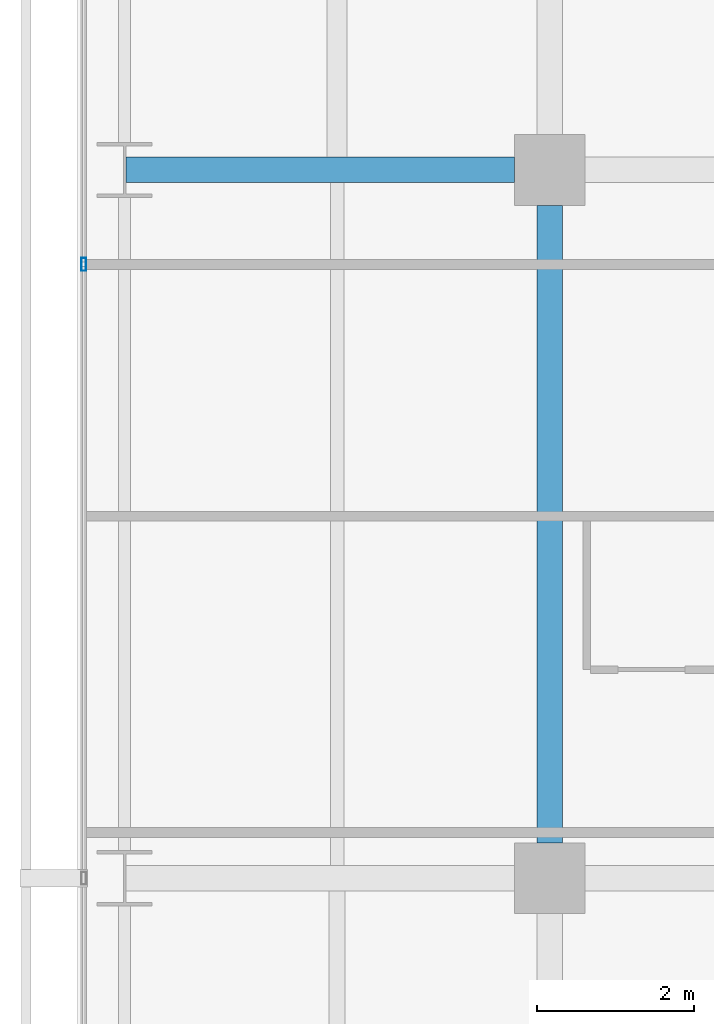
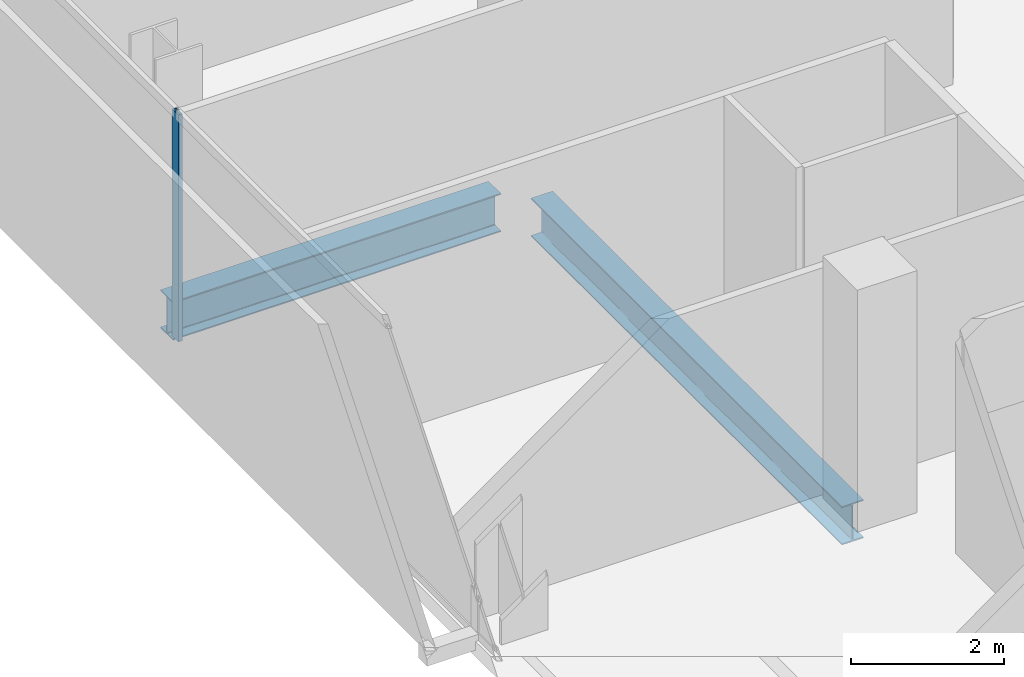
# One storey, part 21 of 40: 2 beams, 1 member, 1 element without a shape of its own.
"""IFC4 building model written with IfcOpenShell, lengths in metres."""

from ifc_helpers import new_model, si_unit, direction, frame, origin, origin_2d, place, context, subcontext, project, spatial, hollow_rectangle, i_section, extrude, material, layer, layer_set, material_profile, profile_set, type_object, element, aggregate, save


model = new_model("IFC4")

# Units and contexts
model_context = context("Model", 3, precision=1e-05, world=origin(), true_north=direction((0.0, 1.0)))
body_context = subcontext(model_context, "Body", "Model", "MODEL_VIEW")
ifc_project = project(units=[si_unit("LENGTHUNIT", "METRE"), si_unit("AREAUNIT", "SQUARE_METRE"), si_unit("VOLUMEUNIT", "CUBIC_METRE"), si_unit("PLANEANGLEUNIT", "RADIAN"), si_unit("MASSUNIT", "GRAM", prefix="KILO")], contexts=[model_context])

# Site, building, storey
site_placement = place(None, origin())
site = spatial("IfcSite", under=ifc_project, at=site_placement, CompositionType="ELEMENT")
building_placement = place(site_placement, origin())
building = spatial("IfcBuilding", under=site, at=building_placement, Name="Maruvema Waterfront Hotel and Observation Tower", CompositionType="ELEMENT")
storey_placement = place(building_placement, frame((0.0, 0.0, 80.85009765625)))
storey = spatial("IfcBuildingStorey", under=building, at=storey_placement, Name="L19", CompositionType="ELEMENT", Elevation=80.85009765625)

# Curtain wall, member
ifc_material_1 = material(Name="Anodised bronze aluminium and solar-control low-E IGU", Category="aluminium")
ifc_layer = layer(ifc_material_1, 0.159912109375, Name="Zone 1 Bronze Inner Thermal Curtain Wall System CW-02")
ifc_layer_set = layer_set([ifc_layer], Name="Anodised bronze aluminium and solar-control low-E IGU")
curtain_wall_type = type_object("IfcCurtainWallType", Name="Zone 1 Bronze Inner Thermal Curtain Wall System CW-02", PredefinedType="USERDEFINED", material=ifc_layer_set)
curtain_wall_placement = place(storey_placement, origin())
curtain_wall = element("IfcCurtainWall", 1, at=curtain_wall_placement, inside=storey, type_object=curtain_wall_type, Name="L19 Curtain Wall CW-L19-W", ObjectType="UNITISED CURTAIN WALL", PredefinedType="USERDEFINED")
ifc_material_2 = material(Name="Anodised architectural bronze aluminium", Category="aluminium")
ifc_material_profile_1 = material_profile(ifc_material_2, hollow_rectangle(XDim=0.06494140625, YDim=0.1650390625, WallThickness=0.00390625, at=origin_2d()), Name="ALU-M65x165")
ifc_profile_set_1 = profile_set([ifc_material_profile_1], Name="Anodised architectural bronze aluminium")
member_type = type_object("IfcMemberType", Name="Curtain Wall Primary Mullion ALU-M65x165", PredefinedType="MULLION", material=ifc_profile_set_1)
member_placement = place(storey_placement, frame((10.8798828125, 34.800048828125, 0.0), z_axis=(0.0, 0.0, 1.0), x_axis=(1.0, 0.0, 0.0)))
member = element("IfcMember", 2, at=member_placement, type_object=member_type, Name="CW-02 mullion 3", PredefinedType="MULLION", context=body_context, shape_type="SweptSolid", body=[
    extrude(hollow_rectangle(XDim=0.06494140625, YDim=0.1650390625, WallThickness=0.00390625, at=origin_2d()), origin(), (0.0, 0.0, 1.0), 3.60986328125),
])
aggregate(curtain_wall, [member])

# Beams
ifc_material_3 = material(Name="Steel ASTM A572 Grade 50", Category="steel")
ifc_material_profile_2 = material_profile(ifc_material_3, i_section(OverallWidth=0.323974609375, OverallDepth=0.611083984375, WebThickness=0.0126953125, FlangeThickness=0.01904296875, FilletRadius=0.01806640625, at=origin_2d()), Name="W610x155.0")
ifc_profile_set_2 = profile_set([ifc_material_profile_2], Name="Steel ASTM A572 Grade 50")
beam_type = type_object("IfcBeamType", Name="Primary Floor Girder W610x155.0", PredefinedType="BEAM", material=ifc_profile_set_2)
beam_1_placement = place(storey_placement, frame((11.4140625, 36.0, -0.545654296875), z_axis=(1.0, 0.0, 0.0), x_axis=(0.0, 1.0, 0.0)))
element("IfcBeam", 3, at=beam_1_placement, inside=storey, type_object=beam_type, Name="L19 Floor Girder EW-25", PredefinedType="BEAM", context=body_context, shape_type="SweptSolid", body=[
    extrude(i_section(OverallWidth=0.323974609375, OverallDepth=0.611083984375, WebThickness=0.0126953125, FlangeThickness=0.01904296875, FilletRadius=0.01806640625, at=origin_2d()), origin(), (0.0, 0.0, 1.0), 4.93603515625),
])
beam_2_placement = place(storey_placement, frame((16.800048828125, 27.449951171875, -0.545654296875), z_axis=(0.0, 1.0, 0.0), x_axis=(-1.0, 0.0, 0.0)))
element("IfcBeam", 4, at=beam_2_placement, inside=storey, type_object=beam_type, Name="L19 Floor Girder NS-08", PredefinedType="BEAM", context=body_context, shape_type="SweptSolid", body=[
    extrude(i_section(OverallWidth=0.323974609375, OverallDepth=0.611083984375, WebThickness=0.0126953125, FlangeThickness=0.01904296875, FilletRadius=0.01806640625, at=origin_2d()), origin(), (0.0, 0.0, 1.0), 8.10009765625),
])

save(model, "model.ifc")
